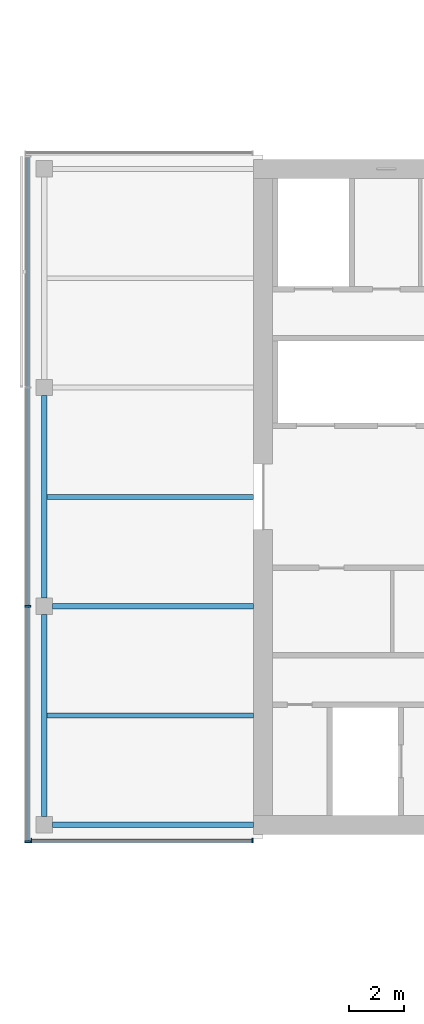
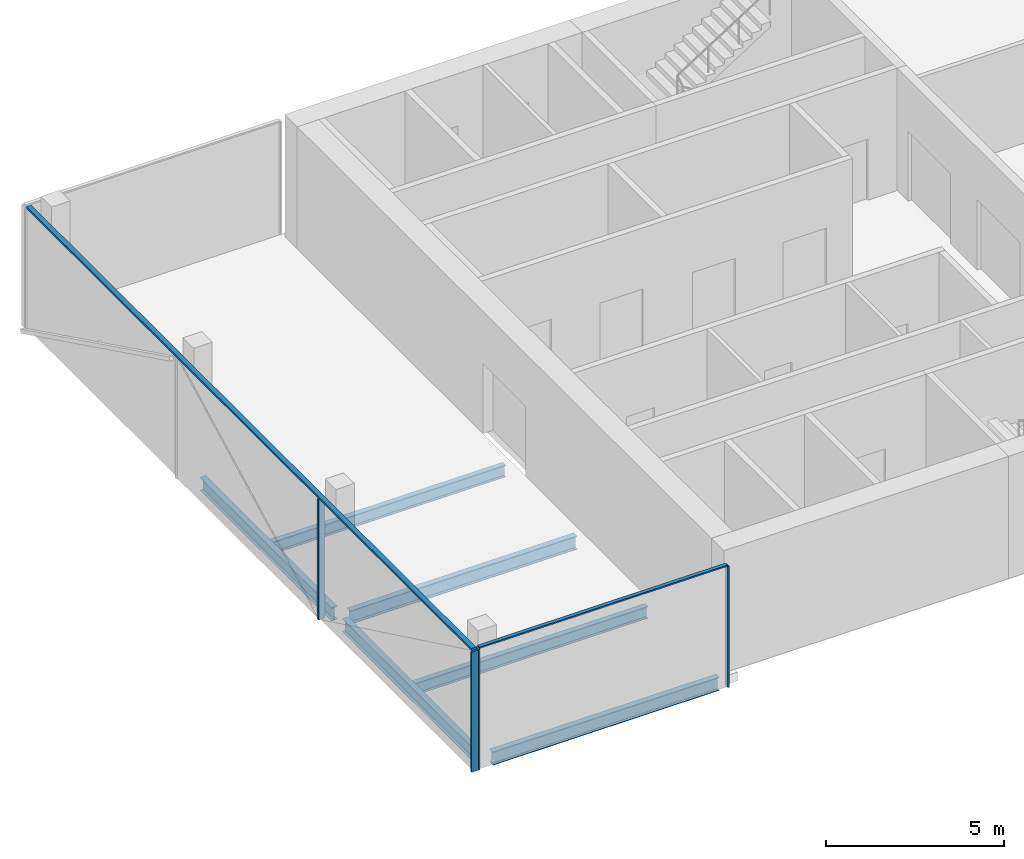
# One storey, part 3 of 22: 6 beams, 6 members, 2 elements without a shape of their own.
"""IFC4 building model written with IfcOpenShell, lengths in metres."""

import ifcopenshell
import ifcopenshell.guid

model = None  # the IFC model being written
_history = None  # IfcOwnerHistory: only IFC2X3 demands one
_inside = {}  # id of a spatial element -> (the spatial element, [elements in it])
_under = {}  # id of a project, library or spatial element -> (it, [spatial elements below it])
_declared = {}  # id of a project -> (the project, [libraries it declares])
_typed = {}  # id of a type object -> (the type object, [elements of that type])
_made_of = {}  # id of a material, layer set ... -> (it, [elements and type objects made of it])


def new_model(schema):
    """Start an empty IFC model of exactly this schema.

    Asked for "IFC4X3", IfcOpenShell would pick the latest addendum, in which some entities
    have other attributes; the version numbers below select the first issue.
    IFC2X3 requires an IfcOwnerHistory on every rooted entity: one is made here for all.
    """
    global model, _history
    if schema == "IFC4X3":
        model = ifcopenshell.file(schema_version=(4, 3, 0, 0))
    else:
        model = ifcopenshell.file(schema=schema)
    _inside.clear()
    _under.clear()
    _declared.clear()
    _typed.clear()
    _made_of.clear()
    _history = None
    if model.schema == "IFC2X3":
        org = make("IfcOrganization", Name="unknown")
        user = make(
            "IfcPersonAndOrganization",
            ThePerson=make("IfcPerson", FamilyName="unknown"),
            TheOrganization=org,
        )
        app = make(
            "IfcApplication",
            ApplicationDeveloper=org,
            Version="unknown",
            ApplicationFullName="unknown",
            ApplicationIdentifier="unknown",
        )
        _history = make(
            "IfcOwnerHistory",
            OwningUser=user,
            OwningApplication=app,
            ChangeAction="ADDED",
            CreationDate=0,
        )
    return model


def make(cls, **values):
    """One entity of the class cls with the attributes given. An attribute that is None is left unset."""
    return model.create_entity(
        cls, **{name: value for name, value in values.items() if value is not None}
    )


def rooted(cls, **values):
    """An entity with a GlobalId (a new one), such as an element, a storey or a relation."""
    return make(cls, GlobalId=ifcopenshell.guid.new(), OwnerHistory=_history, **values)


def si_unit(unit_type, name, prefix=None):
    """IfcSIUnit, for example si_unit("LENGTHUNIT", "METRE", prefix="MILLI")."""
    return make("IfcSIUnit", UnitType=unit_type, Prefix=prefix, Name=name)


def assignment(units):
    """IfcUnitAssignment: the units of a project."""
    return None if units is None else make("IfcUnitAssignment", Units=units)


def point(xyz):
    """IfcCartesianPoint."""
    return None if xyz is None else make("IfcCartesianPoint", Coordinates=xyz)


def direction(xyz):
    """IfcDirection."""
    return None if xyz is None else make("IfcDirection", DirectionRatios=xyz)


def frame(location, z_axis=None, x_axis=None):
    """IfcAxis2Placement3D, a coordinate frame: its origin and axes. An axis left out is left unset."""
    return make(
        "IfcAxis2Placement3D",
        Location=point(location),
        Axis=direction(z_axis),
        RefDirection=direction(x_axis),
    )


def frame_2d(location, x_axis=None):
    """IfcAxis2Placement2D, a coordinate frame in the plane: its origin and x axis."""
    return make(
        "IfcAxis2Placement2D", Location=point(location), RefDirection=direction(x_axis)
    )


def origin():
    """The frame at (0, 0, 0) with its axes left unset."""
    return frame((0.0, 0.0, 0.0))


def origin_2d():
    """The frame at (0, 0) in the plane with its x axis left unset."""
    return frame_2d((0.0, 0.0))


def place(relative_to, where):
    """IfcLocalPlacement: puts the frame where relative to a parent placement (None: the world)."""
    return make(
        "IfcLocalPlacement", PlacementRelTo=relative_to, RelativePlacement=where
    )


def context(
    kind, dimensions, precision=None, world=None, true_north=None, identifier=None
):
    """IfcGeometricRepresentationContext, for example the 3D "Model" context."""
    return make(
        "IfcGeometricRepresentationContext",
        ContextIdentifier=identifier,
        ContextType=kind,
        CoordinateSpaceDimension=dimensions,
        Precision=precision,
        WorldCoordinateSystem=world,
        TrueNorth=true_north,
    )


def subcontext(parent, identifier, kind, view, scale=None):
    """IfcGeometricRepresentationSubContext, for example "Body" below "Model"."""
    return make(
        "IfcGeometricRepresentationSubContext",
        ContextIdentifier=identifier,
        ContextType=kind,
        ParentContext=parent,
        TargetScale=scale,
        TargetView=view,
    )


def project(units=None, contexts=None):
    """IfcProject with its units and contexts."""
    return rooted(
        "IfcProject",
        Name="project",
        RepresentationContexts=contexts,
        UnitsInContext=assignment(units),
    )


def spatial(cls, under=None, at=None, **own):
    """A site, building, storey or space (cls), placed at a placement, below another one or the project."""
    s = rooted(cls, ObjectPlacement=at, **own)
    if under is not None:
        _under.setdefault(under.id(), (under, []))[1].append(s)
    return s


def profile(cls, at=None, kind="AREA", **sizes):
    """A parametric profile (cls). Its sizes go by their IFC names, for example OverallWidth=200.0."""
    return make(cls, ProfileType=kind, Position=at, **sizes)


def rectangle(**sizes):
    """IfcRectangleProfileDef."""
    return profile("IfcRectangleProfileDef", **sizes)


def i_section(**sizes):
    """IfcIShapeProfileDef."""
    return profile("IfcIShapeProfileDef", **sizes)


def extrude(swept, where, along, depth):
    """IfcExtrudedAreaSolid: the profile swept, set in the frame where, extruded along a direction by depth."""
    return make(
        "IfcExtrudedAreaSolid",
        SweptArea=swept,
        Position=where,
        ExtrudedDirection=direction(along),
        Depth=depth,
    )


def shape(context_of_items, identifier, shape_type, items):
    """IfcShapeRepresentation: the items that make up one representation, for example the "Body"."""
    return make(
        "IfcShapeRepresentation",
        ContextOfItems=context_of_items,
        RepresentationIdentifier=identifier,
        RepresentationType=shape_type,
        Items=items,
    )


def material(Name=None, Category=None):
    """IfcMaterial."""
    return make("IfcMaterial", Name=Name, Category=Category)


def material_profile(
    of_material, cross_section, Name=None, Category=None, Priority=None
):
    """IfcMaterialProfile: a cross section and its material."""
    return make(
        "IfcMaterialProfile",
        Name=Name,
        Material=of_material,
        Profile=cross_section,
        Priority=Priority,
        Category=Category,
    )


def profile_set(profiles, Name=None, composite=None):
    """IfcMaterialProfileSet."""
    return make(
        "IfcMaterialProfileSet",
        Name=Name,
        MaterialProfiles=profiles,
        CompositeProfile=composite,
    )


def made_of(thing, what):
    """Note that an element or type object is made of a material, layer set ...; save() writes the relation."""
    if what is not None:
        _made_of.setdefault(what.id(), (what, []))[1].append(thing)
    return thing


def type_object(cls, material=None, **own):
    """A type object (cls), such as IfcWallType, which elements share."""
    return made_of(rooted(cls, **own), material)


def element(
    cls,
    number,
    at=None,
    inside=None,
    cuts=None,
    type_object=None,
    material=None,
    context=None,
    identifier="Body",
    shape_type=None,
    held_by="IfcProductDefinitionShape",
    body=None,
    shapes=None,
    **own,
):
    """One element of the class cls, such as IfcWall. Its Tag is "e" and its number.

    at: its placement. inside: the storey or other place that contains it. cuts: it is an
    opening in that element (IfcRelVoidsElement). A single representation is given by context,
    identifier, shape_type and body (its items); several are given by shapes. held_by: the class
    of the entity that holds the representations. save() writes the other relations.
    """
    e = rooted(cls, Tag="e%d" % number, ObjectPlacement=at, **own)
    if body is not None:
        shapes = [shape(context, identifier, shape_type, body)]
    if shapes is not None:
        e.Representation = make(held_by, Representations=shapes)
    if inside is not None:
        _inside.setdefault(inside.id(), (inside, []))[1].append(e)
    if cuts is not None:
        rooted(
            "IfcRelVoidsElement", RelatingBuildingElement=cuts, RelatedOpeningElement=e
        )
    if type_object is not None:
        _typed.setdefault(type_object.id(), (type_object, []))[1].append(e)
    return made_of(e, material)


def aggregate(whole, parts):
    """IfcRelAggregates: a whole, such as a stair, and the parts it consists of."""
    return rooted("IfcRelAggregates", RelatingObject=whole, RelatedObjects=parts)


def save(model, path):
    """Write the relations noted so far, then the file.

    IfcRelAggregates (storeys below a building ...), IfcRelContainedInSpatialStructure (elements
    in a storey), IfcRelDefinesByType, IfcRelAssociatesMaterial and IfcRelDeclares: one each for
    every whole, place, type object, material and project.
    """
    for whole, parts in _under.values():
        aggregate(whole, parts)
    for where, things in _inside.values():
        rooted(
            "IfcRelContainedInSpatialStructure",
            RelatedElements=things,
            RelatingStructure=where,
        )
    for kind, things in _typed.values():
        rooted("IfcRelDefinesByType", RelatedObjects=things, RelatingType=kind)
    for what, things in _made_of.values():
        rooted("IfcRelAssociatesMaterial", RelatedObjects=things, RelatingMaterial=what)
    for by, libraries in _declared.values():
        rooted("IfcRelDeclares", RelatingContext=by, RelatedDefinitions=libraries)
    model.write(path)


model = new_model("IFC4")

# Units and contexts
model_context = context("Model", 3, precision=1e-05, world=origin(), true_north=direction((0.0, 1.0)))
body_context = subcontext(model_context, "Body", "Model", "MODEL_VIEW")
ifc_project = project(units=[si_unit("LENGTHUNIT", "METRE"), si_unit("AREAUNIT", "SQUARE_METRE"), si_unit("VOLUMEUNIT", "CUBIC_METRE"), si_unit("PLANEANGLEUNIT", "RADIAN"), si_unit("MASSUNIT", "GRAM", prefix="KILO")], contexts=[model_context])

# Site, building, storey
site_placement = place(None, origin())
site = spatial("IfcSite", under=ifc_project, at=site_placement, CompositionType="ELEMENT")
building_placement = place(site_placement, origin())
building = spatial("IfcBuilding", under=site, at=building_placement, Name="Crosswind Convention Tower", CompositionType="ELEMENT")
storey_placement = place(building_placement, frame((0.0, 0.0, 146.300048828125)))
storey = spatial("IfcBuildingStorey", under=building, at=storey_placement, Name="L30", CompositionType="ELEMENT", Elevation=146.300048828125)

# Beams
ifc_material_1 = material(Name="Steel S355", Category="steel")
ifc_material_profile_1 = material_profile(ifc_material_1, i_section(OverallWidth=0.18994140625, OverallDepth=0.45361328125, WebThickness=0.008544921875, FlangeThickness=0.0126953125, FilletRadius=0.01025390625, at=origin_2d()), Name="UB 457x191x67")
ifc_profile_set_1 = profile_set([ifc_material_profile_1], Name="Steel S355")
beam_type_1 = type_object("IfcBeamType", Name="Edge beam UB 457x191x67", PredefinedType="SPANDREL", material=ifc_profile_set_1)
for number, where, z_axis, x_axis, name in (
    (1, (89.0, 88.300048828125, -0.52685546875), (0.0, 1.0, 0.0), (-1.0, 0.0, 0.0), "B16 L30 edge beam 1"),
    (2, (89.0, 96.300048828125, -0.52685546875), (0.0, 1.0, 0.0), (-1.0, 0.0, 0.0), "B16 L30 edge beam 2"),
):
    element("IfcBeam", number, at=place(storey_placement, frame(where, z_axis=z_axis, x_axis=x_axis)), inside=storey, type_object=beam_type_1, Name=name, PredefinedType="SPANDREL", context=body_context, shape_type="SweptSolid", body=[
        extrude(i_section(OverallWidth=0.18994140625, OverallDepth=0.45361328125, WebThickness=0.008544921875, FlangeThickness=0.0126953125, FilletRadius=0.01025390625, at=origin_2d()), origin(), (0.0, 0.0, 1.0), 7.39990234375),
    ])
beam_1_placement = place(storey_placement, frame((89.300048828125, 88.0, -0.52685546875), z_axis=(1.0, 0.0, 0.0), x_axis=(0.0, 1.0, 0.0)))
element("IfcBeam", 3, at=beam_1_placement, inside=storey, type_object=beam_type_1, Name="B16 L30 edge beam 4", PredefinedType="SPANDREL", context=body_context, shape_type="SweptSolid", body=[
    extrude(i_section(OverallWidth=0.18994140625, OverallDepth=0.45361328125, WebThickness=0.008544921875, FlangeThickness=0.0126953125, FilletRadius=0.01025390625, at=origin_2d()), origin(), (0.0, 0.0, 1.0), 7.349853515625),
])
ifc_material_profile_2 = material_profile(ifc_material_1, i_section(OverallWidth=0.19189453125, OverallDepth=0.463623046875, WebThickness=0.010498046875, FlangeThickness=0.017578125, FilletRadius=0.01025390625, at=origin_2d()), Name="UB 457x191x90")
ifc_profile_set_2 = profile_set([ifc_material_profile_2], Name="Steel S355")
beam_type_2 = type_object("IfcBeamType", Name="Girder at core wall UB 457x191x90", PredefinedType="BEAM", material=ifc_profile_set_2)
beam_2_placement = place(storey_placement, frame((89.300048828125, 96.0, -0.53173828125), z_axis=(1.0, 0.0, 0.0), x_axis=(0.0, 1.0, 0.0)))
element("IfcBeam", 4, at=beam_2_placement, inside=storey, type_object=beam_type_2, Name="B24 L30 girder at core wall 1", PredefinedType="BEAM", context=body_context, shape_type="SweptSolid", body=[
    extrude(i_section(OverallWidth=0.19189453125, OverallDepth=0.463623046875, WebThickness=0.010498046875, FlangeThickness=0.017578125, FilletRadius=0.01025390625, at=origin_2d()), origin(), (0.0, 0.0, 1.0), 7.349853515625),
])

# Curtain wall, members
ifc_material_2 = material(Name="Aluminium unitised curtain wall", Category="aluminium")
curtain_wall_type_1 = type_object("IfcCurtainWallType", Name="CORE END SLOT WALL 160", PredefinedType="USERDEFINED", material=ifc_material_2)
curtain_wall_1_placement = place(storey_placement, origin())
curtain_wall_1 = element("IfcCurtainWall", 5, at=curtain_wall_1_placement, inside=storey, type_object=curtain_wall_type_1, Name="CW6 L30 W-S.1-1 slot", ObjectType="UNITISED", PredefinedType="USERDEFINED")
ifc_material_3 = material(Name="Aluminium mullion", Category="aluminium")
ifc_material_profile_3 = material_profile(ifc_material_3, rectangle(XDim=0.159912109375, YDim=0.050048828125, at=origin_2d()), Name="AL 160X50")
ifc_profile_set_3 = profile_set([ifc_material_profile_3], Name="Aluminium mullion")
member_type_1 = type_object("IfcMemberType", Name="MULLION 50X160", PredefinedType="MULLION", material=ifc_profile_set_3)
member_1_placement = place(storey_placement, frame((88.52490234375, 87.419921875, -0.300048828125), z_axis=(0.0, 0.0, 1.0), x_axis=(0.0, -1.0, 0.0)))
member_1 = element("IfcMember", 6, at=member_1_placement, type_object=member_type_1, Name="CW6 mullion 1", PredefinedType="MULLION", context=body_context, shape_type="SweptSolid", body=[
    extrude(rectangle(XDim=0.159912109375, YDim=0.050048828125, at=origin_2d()), origin(), (0.0, 0.0, 1.0), 4.14990234375),
])
member_2_placement = place(storey_placement, frame((96.625, 87.419921875, -0.300048828125), z_axis=(0.0, 0.0, 1.0), x_axis=(0.0, -1.0, 0.0)))
member_2 = element("IfcMember", 7, at=member_2_placement, type_object=member_type_1, Name="CW6 mullion 2", PredefinedType="MULLION", context=body_context, shape_type="SweptSolid", body=[
    extrude(rectangle(XDim=0.159912109375, YDim=0.050048828125, at=origin_2d()), origin(), (0.0, 0.0, 1.0), 4.14990234375),
])

curtain_wall_type_2 = type_object("IfcCurtainWallType", Name="OFFICE UNITISED WALL 220", PredefinedType="USERDEFINED", material=ifc_material_2)
curtain_wall_2_placement = place(storey_placement, origin())
curtain_wall_2 = element("IfcCurtainWall", 8, at=curtain_wall_2_placement, inside=storey, type_object=curtain_wall_type_2, Name="CW3 L30 W-TIP 1", ObjectType="UNITISED", PredefinedType="USERDEFINED")
ifc_material_profile_4 = material_profile(ifc_material_3, rectangle(XDim=0.219970703125, YDim=0.070068359375, at=origin_2d()), Name="AL 220X70")
ifc_profile_set_4 = profile_set([ifc_material_profile_4], Name="Aluminium mullion")
member_type_2 = type_object("IfcMemberType", Name="MULLION 70X220", PredefinedType="MULLION", material=ifc_profile_set_4)
member_3_placement = place(storey_placement, frame((88.389892578125, 96.0, -0.300048828125), z_axis=(0.0, 0.0, 1.0), x_axis=(-1.0, 0.0, 0.0)))
member_3 = element("IfcMember", 9, at=member_3_placement, type_object=member_type_2, Name="CW3 mullion 3", PredefinedType="MULLION", context=body_context, shape_type="SweptSolid", body=[
    extrude(rectangle(XDim=0.219970703125, YDim=0.070068359375, at=origin_2d()), origin(), (0.0, 0.0, 1.0), 4.1298828125),
])
member_4_placement = place(storey_placement, frame((88.389892578125, 87.375, -0.300048828125), z_axis=(0.0, 0.0, 1.0), x_axis=(-1.0, 0.0, 0.0)))
member_4 = element("IfcMember", 10, at=member_4_placement, type_object=member_type_2, Name="CW3 mullion 4", PredefinedType="MULLION", context=body_context, shape_type="SweptSolid", body=[
    extrude(rectangle(XDim=0.219970703125, YDim=0.070068359375, at=origin_2d()), origin(), (0.0, 0.0, 1.0), 4.1298828125),
])

# Beams
ifc_material_profile_5 = material_profile(ifc_material_1, i_section(OverallWidth=0.177734375, OverallDepth=0.406494140625, WebThickness=0.0078125, FlangeThickness=0.0126953125, FilletRadius=0.01025390625, at=origin_2d()), Name="UB 406x178x60")
ifc_profile_set_5 = profile_set([ifc_material_profile_5], Name="Steel S355")
beam_type_3 = type_object("IfcBeamType", Name="Secondary beam UB 406x178x60", PredefinedType="JOIST", material=ifc_profile_set_5)
for number, where, z_axis, x_axis, name in (
    (11, (89.094970703125, 92.0, -0.503173828125), (1.0, 0.0, 0.0), (0.0, 1.0, 0.0), "B10 L30 secondary beam 1"),
    (12, (89.094970703125, 100.0, -0.503173828125), (1.0, 0.0, 0.0), (0.0, 1.0, 0.0), "B10 L30 secondary beam 2"),
):
    element("IfcBeam", number, at=place(storey_placement, frame(where, z_axis=z_axis, x_axis=x_axis)), inside=storey, type_object=beam_type_3, Name=name, PredefinedType="JOIST", context=body_context, shape_type="SweptSolid", body=[
        extrude(i_section(OverallWidth=0.177734375, OverallDepth=0.406494140625, WebThickness=0.0078125, FlangeThickness=0.0126953125, FilletRadius=0.01025390625, at=origin_2d()), origin(), (0.0, 0.0, 1.0), 7.554931640625),
    ])

# Member
ifc_material_4 = material(Name="Aluminium transom", Category="aluminium")
ifc_material_profile_6 = material_profile(ifc_material_4, rectangle(XDim=0.1201171875, YDim=0.050048828125, at=origin_2d()), Name="AL 120X50")
ifc_profile_set_6 = profile_set([ifc_material_profile_6], Name="Aluminium transom")
member_type_3 = type_object("IfcMemberType", Name="TRANSOM 50X120", PredefinedType="USERDEFINED", material=ifc_profile_set_6)
member_5_placement = place(storey_placement, frame((88.550048828125, 87.419921875, 3.875), z_axis=(1.0, 0.0, 0.0), x_axis=(0.0, 1.0, 0.0)))
member_5 = element("IfcMember", 13, at=member_5_placement, type_object=member_type_3, Name="CW6 transom", ObjectType="TRANSOM", PredefinedType="USERDEFINED", context=body_context, shape_type="SweptSolid", body=[
    extrude(rectangle(XDim=0.1201171875, YDim=0.050048828125, at=origin_2d()), origin(), (0.0, 0.0, 1.0), 8.050048828125),
])

aggregate(curtain_wall_1, [member_1, member_2, member_5])

ifc_material_profile_7 = material_profile(ifc_material_4, rectangle(XDim=0.159912109375, YDim=0.070068359375, at=origin_2d()), Name="AL 160X70")
ifc_profile_set_7 = profile_set([ifc_material_profile_7], Name="Aluminium transom")
member_type_4 = type_object("IfcMemberType", Name="TRANSOM 70X160", PredefinedType="USERDEFINED", material=ifc_profile_set_7)
member_6_placement = place(storey_placement, frame((88.389892578125, 112.429931640625, 3.864990234375), z_axis=(0.0, -1.0, 0.0), x_axis=(1.0, 0.0, 0.0)))
member_6 = element("IfcMember", 14, at=member_6_placement, type_object=member_type_4, Name="CW3 transom", ObjectType="TRANSOM", PredefinedType="USERDEFINED", context=body_context, shape_type="SweptSolid", body=[
    extrude(rectangle(XDim=0.159912109375, YDim=0.070068359375, at=origin_2d()), origin(), (0.0, 0.0, 1.0), 25.02001953125),
])

aggregate(curtain_wall_2, [member_3, member_4, member_6])

save(model, "model.ifc")
